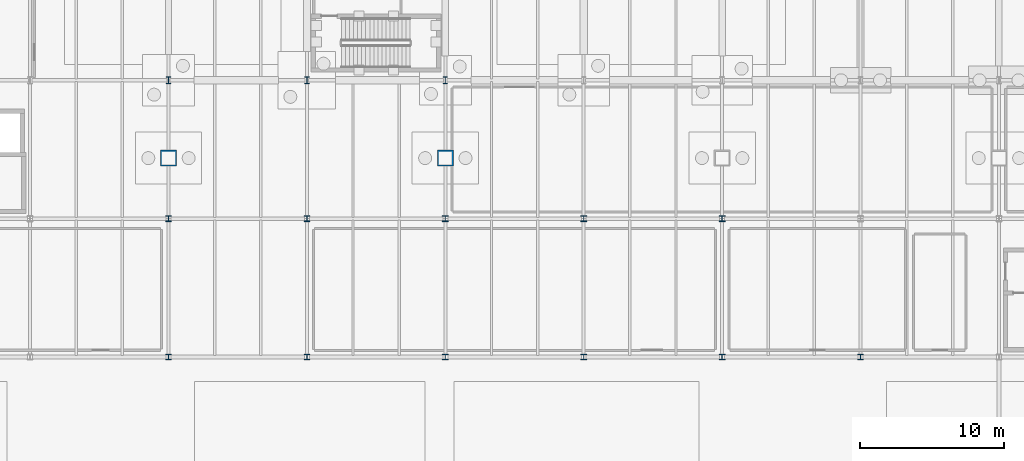
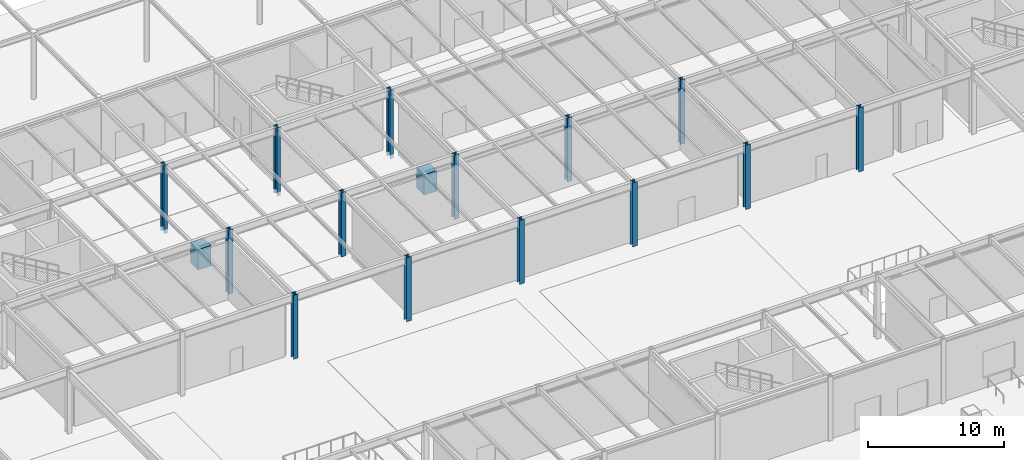
# One storey, part 17 of 142: 16 columns.
"""IFC4 building model written with IfcOpenShell, lengths in metres."""

import ifcopenshell
import ifcopenshell.guid

model = None  # the IFC model being written
_history = None  # IfcOwnerHistory: only IFC2X3 demands one
_inside = {}  # id of a spatial element -> (the spatial element, [elements in it])
_under = {}  # id of a project, library or spatial element -> (it, [spatial elements below it])
_declared = {}  # id of a project -> (the project, [libraries it declares])
_typed = {}  # id of a type object -> (the type object, [elements of that type])
_made_of = {}  # id of a material, layer set ... -> (it, [elements and type objects made of it])


def new_model(schema):
    """Start an empty IFC model of exactly this schema.

    Asked for "IFC4X3", IfcOpenShell would pick the latest addendum, in which some entities
    have other attributes; the version numbers below select the first issue.
    IFC2X3 requires an IfcOwnerHistory on every rooted entity: one is made here for all.
    """
    global model, _history
    if schema == "IFC4X3":
        model = ifcopenshell.file(schema_version=(4, 3, 0, 0))
    else:
        model = ifcopenshell.file(schema=schema)
    _inside.clear()
    _under.clear()
    _declared.clear()
    _typed.clear()
    _made_of.clear()
    _history = None
    if model.schema == "IFC2X3":
        org = make("IfcOrganization", Name="unknown")
        user = make(
            "IfcPersonAndOrganization",
            ThePerson=make("IfcPerson", FamilyName="unknown"),
            TheOrganization=org,
        )
        app = make(
            "IfcApplication",
            ApplicationDeveloper=org,
            Version="unknown",
            ApplicationFullName="unknown",
            ApplicationIdentifier="unknown",
        )
        _history = make(
            "IfcOwnerHistory",
            OwningUser=user,
            OwningApplication=app,
            ChangeAction="ADDED",
            CreationDate=0,
        )
    return model


def make(cls, **values):
    """One entity of the class cls with the attributes given. An attribute that is None is left unset."""
    return model.create_entity(
        cls, **{name: value for name, value in values.items() if value is not None}
    )


def rooted(cls, **values):
    """An entity with a GlobalId (a new one), such as an element, a storey or a relation."""
    return make(cls, GlobalId=ifcopenshell.guid.new(), OwnerHistory=_history, **values)


def si_unit(unit_type, name, prefix=None):
    """IfcSIUnit, for example si_unit("LENGTHUNIT", "METRE", prefix="MILLI")."""
    return make("IfcSIUnit", UnitType=unit_type, Prefix=prefix, Name=name)


def assignment(units):
    """IfcUnitAssignment: the units of a project."""
    return None if units is None else make("IfcUnitAssignment", Units=units)


def point(xyz):
    """IfcCartesianPoint."""
    return None if xyz is None else make("IfcCartesianPoint", Coordinates=xyz)


def direction(xyz):
    """IfcDirection."""
    return None if xyz is None else make("IfcDirection", DirectionRatios=xyz)


def frame(location, z_axis=None, x_axis=None):
    """IfcAxis2Placement3D, a coordinate frame: its origin and axes. An axis left out is left unset."""
    return make(
        "IfcAxis2Placement3D",
        Location=point(location),
        Axis=direction(z_axis),
        RefDirection=direction(x_axis),
    )


def frame_2d(location, x_axis=None):
    """IfcAxis2Placement2D, a coordinate frame in the plane: its origin and x axis."""
    return make(
        "IfcAxis2Placement2D", Location=point(location), RefDirection=direction(x_axis)
    )


def origin():
    """The frame at (0, 0, 0) with its axes left unset."""
    return frame((0.0, 0.0, 0.0))


def origin_2d():
    """The frame at (0, 0) in the plane with its x axis left unset."""
    return frame_2d((0.0, 0.0))


def place(relative_to, where):
    """IfcLocalPlacement: puts the frame where relative to a parent placement (None: the world)."""
    return make(
        "IfcLocalPlacement", PlacementRelTo=relative_to, RelativePlacement=where
    )


def context(
    kind, dimensions, precision=None, world=None, true_north=None, identifier=None
):
    """IfcGeometricRepresentationContext, for example the 3D "Model" context."""
    return make(
        "IfcGeometricRepresentationContext",
        ContextIdentifier=identifier,
        ContextType=kind,
        CoordinateSpaceDimension=dimensions,
        Precision=precision,
        WorldCoordinateSystem=world,
        TrueNorth=true_north,
    )


def subcontext(parent, identifier, kind, view, scale=None):
    """IfcGeometricRepresentationSubContext, for example "Body" below "Model"."""
    return make(
        "IfcGeometricRepresentationSubContext",
        ContextIdentifier=identifier,
        ContextType=kind,
        ParentContext=parent,
        TargetScale=scale,
        TargetView=view,
    )


def project(units=None, contexts=None):
    """IfcProject with its units and contexts."""
    return rooted(
        "IfcProject",
        Name="project",
        RepresentationContexts=contexts,
        UnitsInContext=assignment(units),
    )


def spatial(cls, under=None, at=None, **own):
    """A site, building, storey or space (cls), placed at a placement, below another one or the project."""
    s = rooted(cls, ObjectPlacement=at, **own)
    if under is not None:
        _under.setdefault(under.id(), (under, []))[1].append(s)
    return s


def profile(cls, at=None, kind="AREA", **sizes):
    """A parametric profile (cls). Its sizes go by their IFC names, for example OverallWidth=200.0."""
    return make(cls, ProfileType=kind, Position=at, **sizes)


def rectangle(**sizes):
    """IfcRectangleProfileDef."""
    return profile("IfcRectangleProfileDef", **sizes)


def i_section(**sizes):
    """IfcIShapeProfileDef."""
    return profile("IfcIShapeProfileDef", **sizes)


def extrude(swept, where, along, depth):
    """IfcExtrudedAreaSolid: the profile swept, set in the frame where, extruded along a direction by depth."""
    return make(
        "IfcExtrudedAreaSolid",
        SweptArea=swept,
        Position=where,
        ExtrudedDirection=direction(along),
        Depth=depth,
    )


def shape(context_of_items, identifier, shape_type, items):
    """IfcShapeRepresentation: the items that make up one representation, for example the "Body"."""
    return make(
        "IfcShapeRepresentation",
        ContextOfItems=context_of_items,
        RepresentationIdentifier=identifier,
        RepresentationType=shape_type,
        Items=items,
    )


def material(Name=None, Category=None):
    """IfcMaterial."""
    return make("IfcMaterial", Name=Name, Category=Category)


def material_profile(
    of_material, cross_section, Name=None, Category=None, Priority=None
):
    """IfcMaterialProfile: a cross section and its material."""
    return make(
        "IfcMaterialProfile",
        Name=Name,
        Material=of_material,
        Profile=cross_section,
        Priority=Priority,
        Category=Category,
    )


def profile_set(profiles, Name=None, composite=None):
    """IfcMaterialProfileSet."""
    return make(
        "IfcMaterialProfileSet",
        Name=Name,
        MaterialProfiles=profiles,
        CompositeProfile=composite,
    )


def made_of(thing, what):
    """Note that an element or type object is made of a material, layer set ...; save() writes the relation."""
    if what is not None:
        _made_of.setdefault(what.id(), (what, []))[1].append(thing)
    return thing


def type_object(cls, material=None, **own):
    """A type object (cls), such as IfcWallType, which elements share."""
    return made_of(rooted(cls, **own), material)


def element(
    cls,
    number,
    at=None,
    inside=None,
    cuts=None,
    type_object=None,
    material=None,
    context=None,
    identifier="Body",
    shape_type=None,
    held_by="IfcProductDefinitionShape",
    body=None,
    shapes=None,
    **own,
):
    """One element of the class cls, such as IfcWall. Its Tag is "e" and its number.

    at: its placement. inside: the storey or other place that contains it. cuts: it is an
    opening in that element (IfcRelVoidsElement). A single representation is given by context,
    identifier, shape_type and body (its items); several are given by shapes. held_by: the class
    of the entity that holds the representations. save() writes the other relations.
    """
    e = rooted(cls, Tag="e%d" % number, ObjectPlacement=at, **own)
    if body is not None:
        shapes = [shape(context, identifier, shape_type, body)]
    if shapes is not None:
        e.Representation = make(held_by, Representations=shapes)
    if inside is not None:
        _inside.setdefault(inside.id(), (inside, []))[1].append(e)
    if cuts is not None:
        rooted(
            "IfcRelVoidsElement", RelatingBuildingElement=cuts, RelatedOpeningElement=e
        )
    if type_object is not None:
        _typed.setdefault(type_object.id(), (type_object, []))[1].append(e)
    return made_of(e, material)


def aggregate(whole, parts):
    """IfcRelAggregates: a whole, such as a stair, and the parts it consists of."""
    return rooted("IfcRelAggregates", RelatingObject=whole, RelatedObjects=parts)


def save(model, path):
    """Write the relations noted so far, then the file.

    IfcRelAggregates (storeys below a building ...), IfcRelContainedInSpatialStructure (elements
    in a storey), IfcRelDefinesByType, IfcRelAssociatesMaterial and IfcRelDeclares: one each for
    every whole, place, type object, material and project.
    """
    for whole, parts in _under.values():
        aggregate(whole, parts)
    for where, things in _inside.values():
        rooted(
            "IfcRelContainedInSpatialStructure",
            RelatedElements=things,
            RelatingStructure=where,
        )
    for kind, things in _typed.values():
        rooted("IfcRelDefinesByType", RelatedObjects=things, RelatingType=kind)
    for what, things in _made_of.values():
        rooted("IfcRelAssociatesMaterial", RelatedObjects=things, RelatingMaterial=what)
    for by, libraries in _declared.values():
        rooted("IfcRelDeclares", RelatingContext=by, RelatedDefinitions=libraries)
    model.write(path)


model = new_model("IFC4")

# Units and contexts
model_context = context("Model", 3, precision=1e-05, world=origin(), true_north=direction((0.0, 1.0)))
body_context = subcontext(model_context, "Body", "Model", "MODEL_VIEW")
ifc_project = project(units=[si_unit("LENGTHUNIT", "METRE"), si_unit("AREAUNIT", "SQUARE_METRE"), si_unit("VOLUMEUNIT", "CUBIC_METRE"), si_unit("PLANEANGLEUNIT", "RADIAN"), si_unit("MASSUNIT", "GRAM", prefix="KILO")], contexts=[model_context])

# Site, building, storey
site_placement = place(None, origin())
site = spatial("IfcSite", under=ifc_project, at=site_placement, CompositionType="ELEMENT")
building_placement = place(site_placement, origin())
building = spatial("IfcBuilding", under=site, at=building_placement, Name="Coralgate Yard Interchange", CompositionType="ELEMENT")
storey_placement = place(building_placement, origin())
storey = spatial("IfcBuildingStorey", under=building, at=storey_placement, Name="L00", CompositionType="ELEMENT", Elevation=0.0)

# Columns
ifc_material_1 = material(Name="Concrete C40/50", Category="concrete")
ifc_material_profile_1 = material_profile(ifc_material_1, rectangle(XDim=1.10009765625, YDim=1.10009765625, at=origin_2d()), Name="RC 1100x1100")
ifc_profile_set_1 = profile_set([ifc_material_profile_1], Name="Concrete C40/50")
column_type_1 = type_object("IfcColumnType", Name="COL-CC-1", PredefinedType="COLUMN", material=ifc_profile_set_1)
for number, where, z_axis, x_axis, name in (
    (1, (67.199951171875, 81.0, -0.02001953125), (0.0, 0.0, 1.0), (1.0, 0.0, 0.0), "Arch AR-2 N concrete thrust pedestal"),
    (2, (86.39990234375, 81.0, -0.02001953125), (0.0, 0.0, 1.0), (1.0, 0.0, 0.0), "Arch AR-3 N concrete thrust pedestal"),
):
    element("IfcColumn", number, at=place(storey_placement, frame(where, z_axis=z_axis, x_axis=x_axis)), inside=storey, type_object=column_type_1, Name=name, PredefinedType="COLUMN", context=body_context, shape_type="SweptSolid", body=[
        extrude(rectangle(XDim=1.10009765625, YDim=1.10009765625, at=origin_2d()), origin(), (0.0, 0.0, 1.0), 1.840087890625),
    ])
ifc_material_2 = material(Name="Structural steel S355J2", Category="steel")
ifc_material_profile_2 = material_profile(ifc_material_2, i_section(OverallWidth=0.39892578125, OverallDepth=0.3935546875, WebThickness=0.022705078125, FlangeThickness=0.03662109375, FilletRadius=0.01513671875, at=origin_2d()), Name="UC 356x406x287")
ifc_profile_set_2 = profile_set([ifc_material_profile_2], Name="Structural steel S355J2")
column_type_2 = type_object("IfcColumnType", Name="COL-SC-1", PredefinedType="COLUMN", material=ifc_profile_set_2)
for number, where, z_axis, x_axis, name in (
    (3, (67.199951171875, 67.199951171875, 0.0), (0.0, 0.0, 1.0), (1.0, 0.0, 0.0), "L00 structural column 7-7"),
    (4, (67.199951171875, 76.800048828125, 0.0), (0.0, 0.0, 1.0), (1.0, 0.0, 0.0), "L00 structural column 7-8"),
    (5, (76.800048828125, 67.199951171875, 0.0), (0.0, 0.0, 1.0), (1.0, 0.0, 0.0), "L00 structural column 8-7"),
    (6, (76.800048828125, 76.800048828125, 0.0), (0.0, 0.0, 1.0), (1.0, 0.0, 0.0), "L00 structural column 8-8"),
    (7, (86.39990234375, 67.199951171875, 0.0), (0.0, 0.0, 1.0), (1.0, 0.0, 0.0), "L00 structural column 9-7"),
    (8, (86.39990234375, 76.800048828125, 0.0), (0.0, 0.0, 1.0), (1.0, 0.0, 0.0), "L00 structural column 9-8"),
    (9, (96.0, 67.199951171875, 0.0), (0.0, 0.0, 1.0), (1.0, 0.0, 0.0), "L00 structural column 10-7"),
    (10, (96.0, 76.800048828125, 0.0), (0.0, 0.0, 1.0), (1.0, 0.0, 0.0), "L00 structural column 10-8"),
    (11, (105.60009765625, 67.199951171875, 0.0), (0.0, 0.0, 1.0), (1.0, 0.0, 0.0), "L00 structural column 11-7"),
    (12, (105.60009765625, 76.800048828125, 0.0), (0.0, 0.0, 1.0), (1.0, 0.0, 0.0), "L00 structural column 11-8"),
    (13, (115.199951171875, 67.199951171875, 0.0), (0.0, 0.0, 1.0), (1.0, 0.0, 0.0), "L00 structural column 12-7"),
):
    element("IfcColumn", number, at=place(storey_placement, frame(where, z_axis=z_axis, x_axis=x_axis)), inside=storey, type_object=column_type_2, Name=name, PredefinedType="COLUMN", context=body_context, shape_type="SweptSolid", body=[
        extrude(i_section(OverallWidth=0.39892578125, OverallDepth=0.3935546875, WebThickness=0.022705078125, FlangeThickness=0.03662109375, FilletRadius=0.01513671875, at=origin_2d()), origin(), (0.0, 0.0, 1.0), 5.75),
    ])
ifc_material_profile_3 = material_profile(ifc_material_2, i_section(OverallWidth=0.300048828125, OverallDepth=0.5, WebThickness=0.014404296875, FlangeThickness=0.028076171875, FilletRadius=0.027099609375, at=origin_2d()), Name="HEB 500")
ifc_profile_set_3 = profile_set([ifc_material_profile_3], Name="Structural steel S355J2")
column_type_3 = type_object("IfcColumnType", Name="COL-SC-10", PredefinedType="COLUMN", material=ifc_profile_set_3)
for number, where, z_axis, x_axis, name in (
    (14, (67.199951171875, 86.39990234375, -0.360107421875), (0.0, 0.0, 1.0), (1.0, 0.0, 0.0), "L00 structural column 7-9"),
    (15, (76.800048828125, 86.39990234375, -0.360107421875), (0.0, 0.0, 1.0), (1.0, 0.0, 0.0), "L00 structural column 8-9"),
    (16, (86.39990234375, 86.39990234375, -0.360107421875), (0.0, 0.0, 1.0), (1.0, 0.0, 0.0), "L00 structural column 9-9"),
):
    element("IfcColumn", number, at=place(storey_placement, frame(where, z_axis=z_axis, x_axis=x_axis)), inside=storey, type_object=column_type_3, Name=name, PredefinedType="COLUMN", context=body_context, shape_type="SweptSolid", body=[
        extrude(i_section(OverallWidth=0.300048828125, OverallDepth=0.5, WebThickness=0.014404296875, FlangeThickness=0.028076171875, FilletRadius=0.027099609375, at=origin_2d()), origin(), (0.0, 0.0, 1.0), 6.110107421875),
    ])

save(model, "model.ifc")
